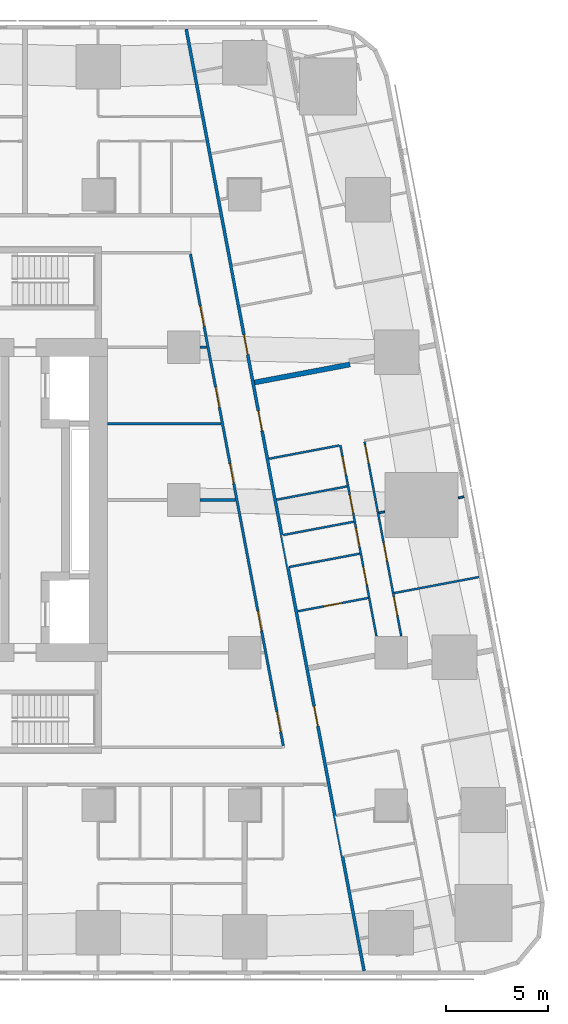
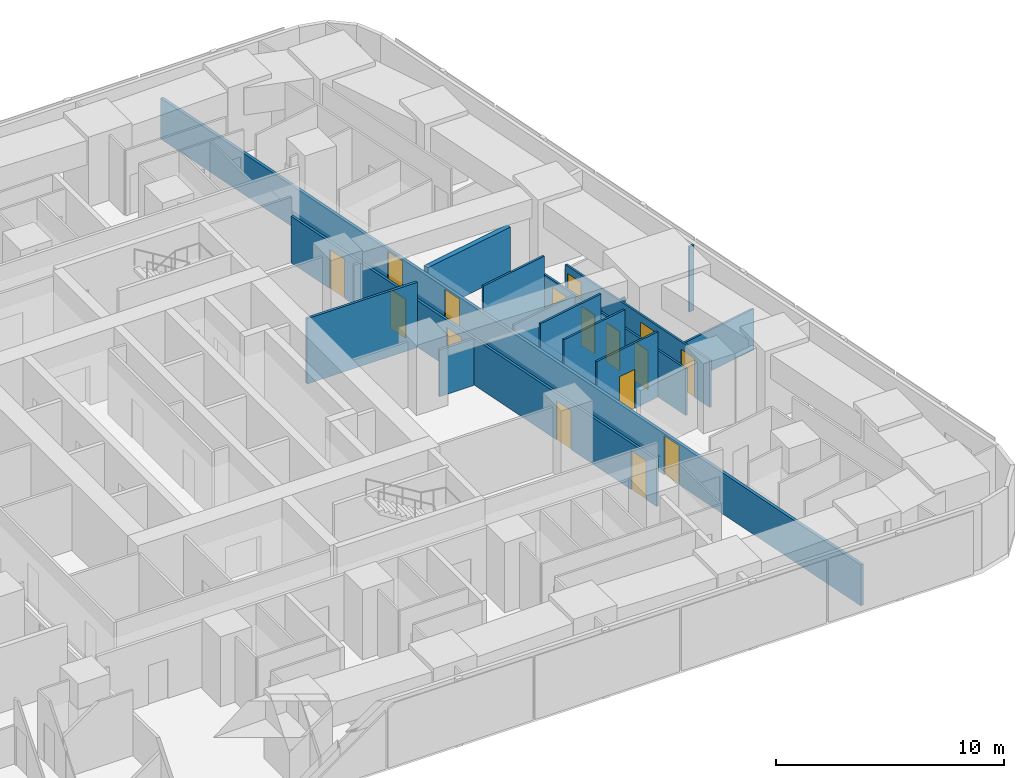
# One storey, part 8 of 16: 16 doors, 16 walls, 16 openings.
"""IFC4 building model written with IfcOpenShell, lengths in metres."""

from ifc_helpers import new_model, si_unit, direction, frame, frame_2d, origin, place, context, subcontext, project, spatial, rectangle, extrude, material, layer, layer_set, type_object, element, fill, save


model = new_model("IFC4")

# Units and contexts
model_context = context("Model", 3, precision=1e-05, world=origin(), true_north=direction((0.0, 1.0)))
body_context = subcontext(model_context, "Body", "Model", "MODEL_VIEW")
ifc_project = project(units=[si_unit("LENGTHUNIT", "METRE"), si_unit("AREAUNIT", "SQUARE_METRE"), si_unit("VOLUMEUNIT", "CUBIC_METRE"), si_unit("PLANEANGLEUNIT", "RADIAN"), si_unit("MASSUNIT", "GRAM", prefix="KILO")], contexts=[model_context])

# Site, building, storey
site_placement = place(None, origin())
site = spatial("IfcSite", under=ifc_project, at=site_placement, CompositionType="ELEMENT")
building_placement = place(site_placement, origin())
building = spatial("IfcBuilding", under=site, at=building_placement, Name="Sheger Commons Tower", CompositionType="ELEMENT")
storey_placement = place(building_placement, frame((0.0, 0.0, 96.64990234375)))
storey = spatial("IfcBuildingStorey", under=building, at=storey_placement, Name="L24", CompositionType="ELEMENT", Elevation=96.64990234375)

# Wall, openings, doors
ifc_material_1 = material(Name="Hollow concrete block masonry, skimmed both sides", Category="masonry")
ifc_layer_1 = layer(ifc_material_1, 0.14990234375)
ifc_layer_set_1 = layer_set([ifc_layer_1], Name="CORRIDOR WALL 150")
wall_type_1 = type_object("IfcWallType", Name="CORRIDOR WALL 150", PredefinedType="SOLIDWALL", material=ifc_layer_set_1)
wall_1_placement = place(storey_placement, frame((33.126953125, 45.64990234375, 0.0), z_axis=(0.0, 0.0, 1.0), x_axis=(0.185598547723, -0.98262565562, 0.0)))
wall_1 = element("IfcWall", 1, at=wall_1_placement, inside=storey, type_object=wall_type_1, Name="Corridor wall L24", PredefinedType="SOLIDWALL", context=body_context, shape_type="SweptSolid", body=[
    extrude(rectangle(XDim=47.118408203125, YDim=0.14990234375, at=frame_2d((23.55908203125, 0.0))), origin(), (0.0, 0.0, 1.0), 2.2001953125),
])
opening_1_placement = place(wall_1_placement, frame((15.284912109375, 0.0, 0.0)))
opening_1 = element("IfcOpeningElement", 2, at=opening_1_placement, cuts=wall_1, Name="Opening D1", PredefinedType="OPENING", context=body_context, shape_type="SweptSolid", body=[
    extrude(rectangle(XDim=1.0, YDim=2.10009765625, at=frame_2d((0.5, 1.050048828125))), frame((0.0, 0.0849609375, 0.0), z_axis=(0.0, -1.0, 0.0), x_axis=(1.0, 0.0, 0.0)), (0.0, 0.0, 1.0), 0.169921875),
])
opening_2_placement = place(wall_1_placement, frame((19.10205078125, 0.0, 0.0)))
opening_2 = element("IfcOpeningElement", 3, at=opening_2_placement, cuts=wall_1, Name="Opening D1", PredefinedType="OPENING", context=body_context, shape_type="SweptSolid", body=[
    extrude(rectangle(XDim=1.0, YDim=2.10009765625, at=frame_2d((0.5, 1.050048828125))), frame((0.0, 0.0849609375, 0.0), z_axis=(0.0, -1.0, 0.0), x_axis=(1.0, 0.0, 0.0)), (0.0, 0.0, 1.0), 0.169921875),
])
opening_3_placement = place(wall_1_placement, frame((33.8798828125, 0.0, 0.0)))
opening_3 = element("IfcOpeningElement", 4, at=opening_3_placement, cuts=wall_1, Name="Opening D1", PredefinedType="OPENING", context=body_context, shape_type="SweptSolid", body=[
    extrude(rectangle(XDim=1.0, YDim=2.10009765625, at=frame_2d((0.5, 1.050048828125))), frame((0.0, 0.0849609375, 0.0), z_axis=(0.0, -1.0, 0.0), x_axis=(1.0, 0.0, 0.0)), (0.0, 0.0, 1.0), 0.169921875),
])
ifc_material_2 = material(Name="Steel door set, fire rated", Category="steel")
door_type_1 = type_object("IfcDoorType", Name="FLAT ENTRANCE DOOR 1000x2100", OperationType="NOTDEFINED", PredefinedType="DOOR", material=ifc_material_2)
door_1_placement = place(opening_1_placement, origin())
door_1 = element("IfcDoor", 5, at=door_1_placement, inside=storey, type_object=door_type_1, Name="Flat entrance door", OperationType="SINGLE_SWING_RIGHT", OverallHeight=2.10009765625, OverallWidth=1.0, PredefinedType="DOOR", context=body_context, shape_type="SweptSolid", body=[
    extrude(rectangle(XDim=1.0, YDim=2.10009765625, at=frame_2d((0.5, 1.050048828125))), frame((0.0, 0.02490234375, 0.0), z_axis=(0.0, -1.0, 0.0), x_axis=(1.0, 0.0, 0.0)), (0.0, 0.0, 1.0), 0.050048828125),
])
fill(opening_1, door_1)
door_2_placement = place(opening_2_placement, origin())
door_2 = element("IfcDoor", 6, at=door_2_placement, inside=storey, type_object=door_type_1, Name="Flat entrance door", OperationType="SINGLE_SWING_RIGHT", OverallHeight=2.10009765625, OverallWidth=1.0, PredefinedType="DOOR", context=body_context, shape_type="SweptSolid", body=[
    extrude(rectangle(XDim=1.0, YDim=2.10009765625, at=frame_2d((0.5, 1.050048828125))), frame((0.0, 0.02490234375, 0.0), z_axis=(0.0, -1.0, 0.0), x_axis=(1.0, 0.0, 0.0)), (0.0, 0.0, 1.0), 0.050048828125),
])
fill(opening_2, door_2)
door_3_placement = place(opening_3_placement, origin())
door_3 = element("IfcDoor", 7, at=door_3_placement, inside=storey, type_object=door_type_1, Name="Flat entrance door", OperationType="SINGLE_SWING_LEFT", OverallHeight=2.10009765625, OverallWidth=1.0, PredefinedType="DOOR", context=body_context, shape_type="SweptSolid", body=[
    extrude(rectangle(XDim=1.0, YDim=2.10009765625, at=frame_2d((0.5, 1.050048828125))), frame((0.0, 0.02490234375, 0.0), z_axis=(0.0, -1.0, 0.0), x_axis=(1.0, 0.0, 0.0)), (0.0, 0.0, 1.0), 0.050048828125),
])
fill(opening_3, door_3)

# Wall
ifc_material_3 = material(Name="Dense concrete block masonry, plastered both sides (separating wall between flats)", Category="masonry")
ifc_layer_2 = layer(ifc_material_3, 0.25)
ifc_layer_set_2 = layer_set([ifc_layer_2], Name="DEMISING WALL 250")
wall_type_2 = type_object("IfcWallType", Name="DEMISING WALL 250", PredefinedType="SOLIDWALL", material=ifc_layer_set_2)
wall_2_placement = place(storey_placement, frame((41.177001953125, 29.1640625, 0.0), z_axis=(0.0, 0.0, 1.0), x_axis=(-0.982642846239, -0.185507511263, 0.0)))
element("IfcWall", 8, at=wall_2_placement, inside=storey, type_object=wall_type_2, Name="Demising wall L24", PredefinedType="SOLIDWALL", context=body_context, shape_type="SweptSolid", body=[
    extrude(rectangle(XDim=4.776123046875, YDim=0.25, at=frame_2d((2.38818359375, 0.0))), origin(), (0.0, 0.0, 1.0), 2.5),
])

# Wall, openings, doors
ifc_material_4 = material(Name="Gypsum board on steel studs", Category="steel")
ifc_layer_3 = layer(ifc_material_4, 0.10009765625)
ifc_layer_set_3 = layer_set([ifc_layer_3], Name="PARTITION 100")
wall_type_3 = type_object("IfcWallType", Name="PARTITION 100", PredefinedType="PARTITIONING", material=ifc_layer_set_3)
wall_3_placement = place(storey_placement, frame((41.89404296875, 25.365966796875, 0.0), z_axis=(0.0, 0.0, 1.0), x_axis=(0.185599502781, -0.982625475228, 0.0)))
wall_3 = element("IfcWall", 9, at=wall_3_placement, inside=storey, type_object=wall_type_3, Name="Partition L24", PredefinedType="PARTITIONING", context=body_context, shape_type="SweptSolid", body=[
    extrude(rectangle(XDim=9.724853515625, YDim=0.10009765625, at=frame_2d((4.8623046875, 0.0))), origin(), (0.0, 0.0, 1.0), 2.5),
])
opening_4_placement = place(wall_3_placement, frame((0.15087890625, 0.0, 0.0)))
opening_4 = element("IfcOpeningElement", 10, at=opening_4_placement, cuts=wall_3, Name="Opening D2", PredefinedType="OPENING", context=body_context, shape_type="SweptSolid", body=[
    extrude(rectangle(XDim=0.89990234375, YDim=2.10009765625, at=frame_2d((0.449951171875, 1.050048828125))), frame((0.0, 0.06005859375, 0.0), z_axis=(0.0, -1.0, 0.0), x_axis=(1.0, 0.0, 0.0)), (0.0, 0.0, 1.0), 0.1201171875),
])
opening_5_placement = place(wall_3_placement, frame((5.050048828125, 0.0, 0.0)))
opening_5 = element("IfcOpeningElement", 11, at=opening_5_placement, cuts=wall_3, Name="Opening D2", PredefinedType="OPENING", context=body_context, shape_type="SweptSolid", body=[
    extrude(rectangle(XDim=0.89990234375, YDim=2.10009765625, at=frame_2d((0.449951171875, 1.050048828125))), frame((0.0, 0.06005859375, 0.0), z_axis=(0.0, -1.0, 0.0), x_axis=(1.0, 0.0, 0.0)), (0.0, 0.0, 1.0), 0.1201171875),
])
opening_6_placement = place(wall_3_placement, frame((7.782958984375, 0.0, 0.0)))
opening_6 = element("IfcOpeningElement", 12, at=opening_6_placement, cuts=wall_3, Name="Opening D2", PredefinedType="OPENING", context=body_context, shape_type="SweptSolid", body=[
    extrude(rectangle(XDim=0.89990234375, YDim=2.10009765625, at=frame_2d((0.449951171875, 1.050048828125))), frame((0.0, 0.06005859375, 0.0), z_axis=(0.0, -1.0, 0.0), x_axis=(1.0, 0.0, 0.0)), (0.0, 0.0, 1.0), 0.1201171875),
])
ifc_material_5 = material(Name="Timber door set", Category="wood")
door_type_2 = type_object("IfcDoorType", Name="INTERNAL DOOR 900x2100", OperationType="NOTDEFINED", PredefinedType="DOOR", material=ifc_material_5)
door_4_placement = place(opening_4_placement, origin())
door_4 = element("IfcDoor", 13, at=door_4_placement, inside=storey, type_object=door_type_2, Name="Main bedroom door", OperationType="SINGLE_SWING_LEFT", OverallHeight=2.10009765625, OverallWidth=0.89990234375, PredefinedType="DOOR", context=body_context, shape_type="SweptSolid", body=[
    extrude(rectangle(XDim=0.89990234375, YDim=2.10009765625, at=frame_2d((0.449951171875, 1.050048828125))), frame((0.0, 0.02490234375, 0.0), z_axis=(0.0, -1.0, 0.0), x_axis=(1.0, 0.0, 0.0)), (0.0, 0.0, 1.0), 0.050048828125),
])
fill(opening_4, door_4)
door_5_placement = place(opening_5_placement, origin())
door_5 = element("IfcDoor", 14, at=door_5_placement, inside=storey, type_object=door_type_2, Name="Bedroom 2 door", OperationType="SINGLE_SWING_LEFT", OverallHeight=2.10009765625, OverallWidth=0.89990234375, PredefinedType="DOOR", context=body_context, shape_type="SweptSolid", body=[
    extrude(rectangle(XDim=0.89990234375, YDim=2.10009765625, at=frame_2d((0.449951171875, 1.050048828125))), frame((0.0, 0.02490234375, 0.0), z_axis=(0.0, -1.0, 0.0), x_axis=(1.0, 0.0, 0.0)), (0.0, 0.0, 1.0), 0.050048828125),
])
fill(opening_5, door_5)
door_6_placement = place(opening_6_placement, origin())
door_6 = element("IfcDoor", 15, at=door_6_placement, inside=storey, type_object=door_type_2, Name="Bedroom 3 door", OperationType="SINGLE_SWING_LEFT", OverallHeight=2.10009765625, OverallWidth=0.89990234375, PredefinedType="DOOR", context=body_context, shape_type="SweptSolid", body=[
    extrude(rectangle(XDim=0.89990234375, YDim=2.10009765625, at=frame_2d((0.449951171875, 1.050048828125))), frame((0.0, 0.02490234375, 0.0), z_axis=(0.0, -1.0, 0.0), x_axis=(1.0, 0.0, 0.0)), (0.0, 0.0, 1.0), 0.050048828125),
])
fill(opening_6, door_6)

wall_4_placement = place(storey_placement, frame((40.7060546875, 25.19189453125, 0.0), z_axis=(0.0, 0.0, 1.0), x_axis=(0.185591412258, -0.982627003342, 0.0)))
wall_4 = element("IfcWall", 16, at=wall_4_placement, inside=storey, type_object=wall_type_3, Name="Partition L24", PredefinedType="PARTITIONING", context=body_context, shape_type="SweptSolid", body=[
    extrude(rectangle(XDim=9.547607421875, YDim=0.10009765625, at=frame_2d((4.77392578125, 0.0))), origin(), (0.0, 0.0, 1.0), 2.5),
])
opening_7_placement = place(wall_4_placement, frame((0.574951171875, 0.0, 0.0)))
opening_7 = element("IfcOpeningElement", 17, at=opening_7_placement, cuts=wall_4, Name="Opening D2", PredefinedType="OPENING", context=body_context, shape_type="SweptSolid", body=[
    extrude(rectangle(XDim=0.89990234375, YDim=2.10009765625, at=frame_2d((0.449951171875, 1.050048828125))), frame((0.0, 0.06005859375, 0.0), z_axis=(0.0, -1.0, 0.0), x_axis=(1.0, 0.0, 0.0)), (0.0, 0.0, 1.0), 0.1201171875),
])
opening_8_placement = place(wall_4_placement, frame((4.166015625, 0.0, 0.0)))
opening_8 = element("IfcOpeningElement", 18, at=opening_8_placement, cuts=wall_4, Name="Opening D2", PredefinedType="OPENING", context=body_context, shape_type="SweptSolid", body=[
    extrude(rectangle(XDim=0.89990234375, YDim=2.10009765625, at=frame_2d((0.449951171875, 1.050048828125))), frame((0.0, 0.06005859375, 0.0), z_axis=(0.0, -1.0, 0.0), x_axis=(1.0, 0.0, 0.0)), (0.0, 0.0, 1.0), 0.1201171875),
])
opening_9_placement = place(wall_4_placement, frame((2.48291015625, 0.0, 0.0)))
opening_9 = element("IfcOpeningElement", 19, at=opening_9_placement, cuts=wall_4, Name="Opening D2", PredefinedType="OPENING", context=body_context, shape_type="SweptSolid", body=[
    extrude(rectangle(XDim=0.89990234375, YDim=2.10009765625, at=frame_2d((0.449951171875, 1.050048828125))), frame((0.0, 0.06005859375, 0.0), z_axis=(0.0, -1.0, 0.0), x_axis=(1.0, 0.0, 0.0)), (0.0, 0.0, 1.0), 0.1201171875),
])
opening_10_placement = place(wall_4_placement, frame((6.073974609375, 0.0, 0.0)))
opening_10 = element("IfcOpeningElement", 20, at=opening_10_placement, cuts=wall_4, Name="Opening D2", PredefinedType="OPENING", context=body_context, shape_type="SweptSolid", body=[
    extrude(rectangle(XDim=0.89990234375, YDim=2.10009765625, at=frame_2d((0.449951171875, 1.050048828125))), frame((0.0, 0.06005859375, 0.0), z_axis=(0.0, -1.0, 0.0), x_axis=(1.0, 0.0, 0.0)), (0.0, 0.0, 1.0), 0.1201171875),
])
door_7_placement = place(opening_7_placement, origin())
door_7 = element("IfcDoor", 21, at=door_7_placement, inside=storey, type_object=door_type_2, Name="Bathroom door", OperationType="SINGLE_SWING_RIGHT", OverallHeight=2.10009765625, OverallWidth=0.89990234375, PredefinedType="DOOR", context=body_context, shape_type="SweptSolid", body=[
    extrude(rectangle(XDim=0.89990234375, YDim=2.10009765625, at=frame_2d((0.449951171875, 1.050048828125))), frame((0.0, 0.02490234375, 0.0), z_axis=(0.0, -1.0, 0.0), x_axis=(1.0, 0.0, 0.0)), (0.0, 0.0, 1.0), 0.050048828125),
])
fill(opening_7, door_7)
door_8_placement = place(opening_8_placement, origin())
door_8 = element("IfcDoor", 22, at=door_8_placement, inside=storey, type_object=door_type_2, Name="Shower room door", OperationType="SINGLE_SWING_RIGHT", OverallHeight=2.10009765625, OverallWidth=0.89990234375, PredefinedType="DOOR", context=body_context, shape_type="SweptSolid", body=[
    extrude(rectangle(XDim=0.89990234375, YDim=2.10009765625, at=frame_2d((0.449951171875, 1.050048828125))), frame((0.0, 0.02490234375, 0.0), z_axis=(0.0, -1.0, 0.0), x_axis=(1.0, 0.0, 0.0)), (0.0, 0.0, 1.0), 0.050048828125),
])
fill(opening_8, door_8)
door_9_placement = place(opening_9_placement, origin())
door_9 = element("IfcDoor", 23, at=door_9_placement, inside=storey, type_object=door_type_2, Name="Store door", OperationType="SINGLE_SWING_RIGHT", OverallHeight=2.10009765625, OverallWidth=0.89990234375, PredefinedType="DOOR", context=body_context, shape_type="SweptSolid", body=[
    extrude(rectangle(XDim=0.89990234375, YDim=2.10009765625, at=frame_2d((0.449951171875, 1.050048828125))), frame((0.0, 0.02490234375, 0.0), z_axis=(0.0, -1.0, 0.0), x_axis=(1.0, 0.0, 0.0)), (0.0, 0.0, 1.0), 0.050048828125),
])
fill(opening_9, door_9)
door_10_placement = place(opening_10_placement, origin())
door_10 = element("IfcDoor", 24, at=door_10_placement, inside=storey, type_object=door_type_2, Name="Store door", OperationType="SINGLE_SWING_LEFT", OverallHeight=2.10009765625, OverallWidth=0.89990234375, PredefinedType="DOOR", context=body_context, shape_type="SweptSolid", body=[
    extrude(rectangle(XDim=0.89990234375, YDim=2.10009765625, at=frame_2d((0.449951171875, 1.050048828125))), frame((0.0, 0.02490234375, 0.0), z_axis=(0.0, -1.0, 0.0), x_axis=(1.0, 0.0, 0.0)), (0.0, 0.0, 1.0), 0.050048828125),
])
fill(opening_10, door_10)

# Walls
wall_5_placement = place(storey_placement, frame((46.781982421875, 22.656982421875, 0.0), z_axis=(0.0, 0.0, 1.0), x_axis=(-0.982574553168, -0.185868898601, 0.0)))
element("IfcWall", 25, at=wall_5_placement, inside=storey, type_object=wall_type_3, Name="Partition L24", PredefinedType="PARTITIONING", context=body_context, shape_type="SweptSolid", body=[
    extrude(rectangle(XDim=0.27978515625, YDim=0.10009765625, at=frame_2d((0.139892578125, 0.0))), origin(), (0.0, 0.0, 1.0), 3.5),
])
wall_6_placement = place(storey_placement, frame((42.886962890625, 21.9208984375, 0.0), z_axis=(0.0, 0.0, 1.0), x_axis=(-0.982688058078, -0.185267861514, 0.0)))
element("IfcWall", 26, at=wall_6_placement, inside=storey, type_object=wall_type_3, Name="Partition L24", PredefinedType="PARTITIONING", context=body_context, shape_type="SweptSolid", body=[
    extrude(rectangle(XDim=0.285888671875, YDim=0.10009765625, at=frame_2d((0.14306640625, 0.0))), origin(), (0.0, 0.0, 1.0), 2.5),
])
wall_7_placement = place(storey_placement, frame((47.527099609375, 18.7119140625, 0.0), z_axis=(0.0, 0.0, 1.0), x_axis=(-0.982665405803, -0.185387972203, 0.0)))
element("IfcWall", 27, at=wall_7_placement, inside=storey, type_object=wall_type_3, Name="Partition L24", PredefinedType="PARTITIONING", context=body_context, shape_type="SweptSolid", body=[
    extrude(rectangle(XDim=4.249755859375, YDim=0.10009765625, at=frame_2d((2.125, 0.0))), origin(), (0.0, 0.0, 1.0), 2.2001953125),
])
wall_8_placement = place(storey_placement, frame((40.656982421875, 25.18310546875, 0.0), z_axis=(0.0, 0.0, 1.0), x_axis=(-0.982585626838, -0.185810349366, 0.0)))
element("IfcWall", 28, at=wall_8_placement, inside=storey, type_object=wall_type_3, Name="Partition L24", PredefinedType="PARTITIONING", context=body_context, shape_type="SweptSolid", body=[
    extrude(rectangle(XDim=3.525146484375, YDim=0.10009765625, at=frame_2d((1.7626953125, 0.0))), origin(), (0.0, 0.0, 1.0), 3.5),
])
wall_9_placement = place(storey_placement, frame((41.364990234375, 21.43310546875, 0.0), z_axis=(0.0, 0.0, 1.0), x_axis=(-0.982638553676, -0.185530247748, 0.0)))
element("IfcWall", 29, at=wall_9_placement, inside=storey, type_object=wall_type_3, Name="Partition L24", PredefinedType="PARTITIONING", context=body_context, shape_type="SweptSolid", body=[
    extrude(rectangle(XDim=3.525390625, YDim=0.10009765625, at=frame_2d((1.7626953125, 0.0))), origin(), (0.0, 0.0, 1.0), 3.5),
])

# Wall, opening, door
wall_10_placement = place(storey_placement, frame((42.072998046875, 17.681884765625, 0.0), z_axis=(0.0, 0.0, 1.0), x_axis=(-0.98265117712, -0.185463376723, 0.0)))
wall_10 = element("IfcWall", 30, at=wall_10_placement, inside=storey, type_object=wall_type_3, Name="Partition L24", PredefinedType="PARTITIONING", context=body_context, shape_type="SweptSolid", body=[
    extrude(rectangle(XDim=3.525390625, YDim=0.10009765625, at=frame_2d((1.7626953125, 0.0))), origin(), (0.0, 0.0, 1.0), 3.5),
])
opening_11_placement = place(wall_10_placement, frame((1.324951171875, 0.0, 0.0)))
opening_11 = element("IfcOpeningElement", 31, at=opening_11_placement, cuts=wall_10, Name="Opening D2", PredefinedType="OPENING", context=body_context, shape_type="SweptSolid", body=[
    extrude(rectangle(XDim=0.89990234375, YDim=2.10009765625, at=frame_2d((0.449951171875, 1.050048828125))), frame((0.0, 0.06005859375, 0.0), z_axis=(0.0, -1.0, 0.0), x_axis=(1.0, 0.0, 0.0)), (0.0, 0.0, 1.0), 0.1201171875),
])
door_11_placement = place(opening_11_placement, origin())
door_11 = element("IfcDoor", 32, at=door_11_placement, inside=storey, type_object=door_type_2, Name="Store door", OperationType="SINGLE_SWING_RIGHT", OverallHeight=2.10009765625, OverallWidth=0.89990234375, PredefinedType="DOOR", context=body_context, shape_type="SweptSolid", body=[
    extrude(rectangle(XDim=0.89990234375, YDim=2.10009765625, at=frame_2d((0.449951171875, 1.050048828125))), frame((0.0, 0.02490234375, 0.0), z_axis=(0.0, -1.0, 0.0), x_axis=(1.0, 0.0, 0.0)), (0.0, 0.0, 1.0), 0.050048828125),
])
fill(opening_11, door_11)

# Walls
wall_11_placement = place(storey_placement, frame((41.037109375, 23.16796875, 0.0), z_axis=(0.0, 0.0, 1.0), x_axis=(-0.982638553676, -0.185530247748, 0.0)))
element("IfcWall", 33, at=wall_11_placement, inside=storey, type_object=wall_type_3, Name="Partition L24", PredefinedType="PARTITIONING", context=body_context, shape_type="SweptSolid", body=[
    extrude(rectangle(XDim=3.525390625, YDim=0.10009765625, at=frame_2d((1.7626953125, 0.0))), origin(), (0.0, 0.0, 1.0), 2.5),
])
wall_12_placement = place(storey_placement, frame((41.662109375, 19.861083984375, 0.0), z_axis=(0.0, 0.0, 1.0), x_axis=(-0.982588017646, -0.185797706064, 0.0)))
element("IfcWall", 34, at=wall_12_placement, inside=storey, type_object=wall_type_3, Name="Partition L24", PredefinedType="PARTITIONING", context=body_context, shape_type="SweptSolid", body=[
    extrude(rectangle(XDim=3.525390625, YDim=0.10009765625, at=frame_2d((1.7626953125, 0.0))), origin(), (0.0, 0.0, 1.0), 3.5),
])

# Wall, openings, doors
ifc_material_6 = material(Name="Gypsum board on steel studs, two layers each side, fire rated", Category="steel")
ifc_layer_4 = layer(ifc_material_6, 0.125)
ifc_layer_set_4 = layer_set([ifc_layer_4], Name="SERVICE WALL 125")
wall_type_4 = type_object("IfcWallType", Name="SERVICE WALL 125", PredefinedType="PARTITIONING", material=ifc_layer_set_4)
wall_13_placement = place(storey_placement, frame((37.89990234375, 10.4130859375, 0.0), z_axis=(0.0, 0.0, 1.0), x_axis=(-0.185589740669, 0.982627319058, 0.0)))
wall_13 = element("IfcWall", 35, at=wall_13_placement, inside=storey, type_object=wall_type_4, Name="Service room wall L24", PredefinedType="PARTITIONING", context=body_context, shape_type="SweptSolid", body=[
    extrude(rectangle(XDim=24.602294921875, YDim=0.125, at=frame_2d((12.30126953125, 0.0))), origin(), (0.0, 0.0, 1.0), 2.5),
])
opening_12_placement = place(wall_13_placement, frame((0.7080078125, 0.0, 0.0)))
opening_12 = element("IfcOpeningElement", 36, at=opening_12_placement, cuts=wall_13, Name="Opening D4", PredefinedType="OPENING", context=body_context, shape_type="SweptSolid", body=[
    extrude(rectangle(XDim=1.0, YDim=2.10009765625, at=frame_2d((0.5, 1.050048828125))), frame((0.0, 0.072509765625, 0.0), z_axis=(0.0, -1.0, 0.0), x_axis=(1.0, 0.0, 0.0)), (0.0, 0.0, 1.0), 0.14501953125),
])
opening_13_placement = place(wall_13_placement, frame((5.75, 0.0, 0.0)))
opening_13 = element("IfcOpeningElement", 37, at=opening_13_placement, cuts=wall_13, Name="Opening D4", PredefinedType="OPENING", context=body_context, shape_type="SweptSolid", body=[
    extrude(rectangle(XDim=1.0, YDim=2.10009765625, at=frame_2d((0.5, 1.050048828125))), frame((0.0, 0.072509765625, 0.0), z_axis=(0.0, -1.0, 0.0), x_axis=(1.0, 0.0, 0.0)), (0.0, 0.0, 1.0), 0.14501953125),
])
opening_14_placement = place(wall_13_placement, frame((13.1240234375, 0.0, 0.0)))
opening_14 = element("IfcOpeningElement", 38, at=opening_14_placement, cuts=wall_13, Name="Opening D4", PredefinedType="OPENING", context=body_context, shape_type="SweptSolid", body=[
    extrude(rectangle(XDim=1.0, YDim=2.10009765625, at=frame_2d((0.5, 1.050048828125))), frame((0.0, 0.072509765625, 0.0), z_axis=(0.0, -1.0, 0.0), x_axis=(1.0, 0.0, 0.0)), (0.0, 0.0, 1.0), 0.14501953125),
])
opening_15_placement = place(wall_13_placement, frame((16.93994140625, 0.0, 0.0)))
opening_15 = element("IfcOpeningElement", 39, at=opening_15_placement, cuts=wall_13, Name="Opening D4", PredefinedType="OPENING", context=body_context, shape_type="SweptSolid", body=[
    extrude(rectangle(XDim=1.0, YDim=2.10009765625, at=frame_2d((0.5, 1.050048828125))), frame((0.0, 0.072509765625, 0.0), z_axis=(0.0, -1.0, 0.0), x_axis=(1.0, 0.0, 0.0)), (0.0, 0.0, 1.0), 0.14501953125),
])
opening_16_placement = place(wall_13_placement, frame((21.0, 0.0, 0.0)))
opening_16 = element("IfcOpeningElement", 40, at=opening_16_placement, cuts=wall_13, Name="Opening D4", PredefinedType="OPENING", context=body_context, shape_type="SweptSolid", body=[
    extrude(rectangle(XDim=1.0, YDim=2.10009765625, at=frame_2d((0.5, 1.050048828125))), frame((0.0, 0.072509765625, 0.0), z_axis=(0.0, -1.0, 0.0), x_axis=(1.0, 0.0, 0.0)), (0.0, 0.0, 1.0), 0.14501953125),
])
ifc_material_7 = material(Name="Steel door set, fire rated", Category="steel")
door_type_3 = type_object("IfcDoorType", Name="SERVICE DOOR 1000x2100", OperationType="NOTDEFINED", PredefinedType="DOOR", material=ifc_material_7)
door_12_placement = place(opening_12_placement, origin())
door_12 = element("IfcDoor", 41, at=door_12_placement, inside=storey, type_object=door_type_3, Name="Residents' meeting room door", OperationType="SINGLE_SWING_LEFT", OverallHeight=2.10009765625, OverallWidth=1.0, PredefinedType="DOOR", context=body_context, shape_type="SweptSolid", body=[
    extrude(rectangle(XDim=1.0, YDim=2.10009765625, at=frame_2d((0.5, 1.050048828125))), frame((0.0, 0.02490234375, 0.0), z_axis=(0.0, -1.0, 0.0), x_axis=(1.0, 0.0, 0.0)), (0.0, 0.0, 1.0), 0.050048828125),
])
fill(opening_12, door_12)
door_13_placement = place(opening_13_placement, origin())
door_13 = element("IfcDoor", 42, at=door_13_placement, inside=storey, type_object=door_type_3, Name="Children's play room door", OperationType="SINGLE_SWING_LEFT", OverallHeight=2.10009765625, OverallWidth=1.0, PredefinedType="DOOR", context=body_context, shape_type="SweptSolid", body=[
    extrude(rectangle(XDim=1.0, YDim=2.10009765625, at=frame_2d((0.5, 1.050048828125))), frame((0.0, 0.02490234375, 0.0), z_axis=(0.0, -1.0, 0.0), x_axis=(1.0, 0.0, 0.0)), (0.0, 0.0, 1.0), 0.050048828125),
])
fill(opening_13, door_13)
door_14_placement = place(opening_14_placement, origin())
door_14 = element("IfcDoor", 43, at=door_14_placement, inside=storey, type_object=door_type_3, Name="Caretaker's store door", OperationType="SINGLE_SWING_LEFT", OverallHeight=2.10009765625, OverallWidth=1.0, PredefinedType="DOOR", context=body_context, shape_type="SweptSolid", body=[
    extrude(rectangle(XDim=1.0, YDim=2.10009765625, at=frame_2d((0.5, 1.050048828125))), frame((0.0, 0.02490234375, 0.0), z_axis=(0.0, -1.0, 0.0), x_axis=(1.0, 0.0, 0.0)), (0.0, 0.0, 1.0), 0.050048828125),
])
fill(opening_14, door_14)
door_15_placement = place(opening_15_placement, origin())
door_15 = element("IfcDoor", 44, at=door_15_placement, inside=storey, type_object=door_type_3, Name="Residents' store door", OperationType="SINGLE_SWING_LEFT", OverallHeight=2.10009765625, OverallWidth=1.0, PredefinedType="DOOR", context=body_context, shape_type="SweptSolid", body=[
    extrude(rectangle(XDim=1.0, YDim=2.10009765625, at=frame_2d((0.5, 1.050048828125))), frame((0.0, 0.02490234375, 0.0), z_axis=(0.0, -1.0, 0.0), x_axis=(1.0, 0.0, 0.0)), (0.0, 0.0, 1.0), 0.050048828125),
])
fill(opening_15, door_15)
door_16_placement = place(opening_16_placement, origin())
door_16 = element("IfcDoor", 45, at=door_16_placement, inside=storey, type_object=door_type_3, Name="Parcel and delivery room door", OperationType="SINGLE_SWING_LEFT", OverallHeight=2.10009765625, OverallWidth=1.0, PredefinedType="DOOR", context=body_context, shape_type="SweptSolid", body=[
    extrude(rectangle(XDim=1.0, YDim=2.10009765625, at=frame_2d((0.5, 1.050048828125))), frame((0.0, 0.02490234375, 0.0), z_axis=(0.0, -1.0, 0.0), x_axis=(1.0, 0.0, 0.0)), (0.0, 0.0, 1.0), 0.050048828125),
])
fill(opening_16, door_16)

# Walls
wall_14_placement = place(storey_placement, frame((33.801025390625, 22.5, 0.0), z_axis=(0.0, 0.0, 1.0), x_axis=(1.0, 0.0, 0.0)))
element("IfcWall", 46, at=wall_14_placement, inside=storey, type_object=wall_type_4, Name="Service room wall L24", PredefinedType="PARTITIONING", context=body_context, shape_type="SweptSolid", body=[
    extrude(rectangle(XDim=1.740966796875, YDim=0.125, at=frame_2d((0.87060546875, 0.0))), origin(), (0.0, 0.0, 1.0), 2.5),
])
wall_15_placement = place(storey_placement, frame((29.25, 26.25, 0.0), z_axis=(0.0, 0.0, 1.0), x_axis=(1.0, 0.0, 0.0)))
element("IfcWall", 47, at=wall_15_placement, inside=storey, type_object=wall_type_4, Name="Service room wall L24", PredefinedType="PARTITIONING", context=body_context, shape_type="SweptSolid", body=[
    extrude(rectangle(XDim=5.5830078125, YDim=0.125, at=frame_2d((2.79150390625, 0.0))), origin(), (0.0, 0.0, 1.0), 3.5),
])
wall_16_placement = place(storey_placement, frame((33.801025390625, 30.0, 0.0), z_axis=(0.0, 0.0, 1.0), x_axis=(1.0, 0.0, 0.0)))
element("IfcWall", 48, at=wall_16_placement, inside=storey, type_object=wall_type_4, Name="Service room wall L24", PredefinedType="PARTITIONING", context=body_context, shape_type="SweptSolid", body=[
    extrude(rectangle(XDim=0.323974609375, YDim=0.125, at=frame_2d((0.162109375, 0.0))), origin(), (0.0, 0.0, 1.0), 2.5),
])

save(model, "model.ifc")
